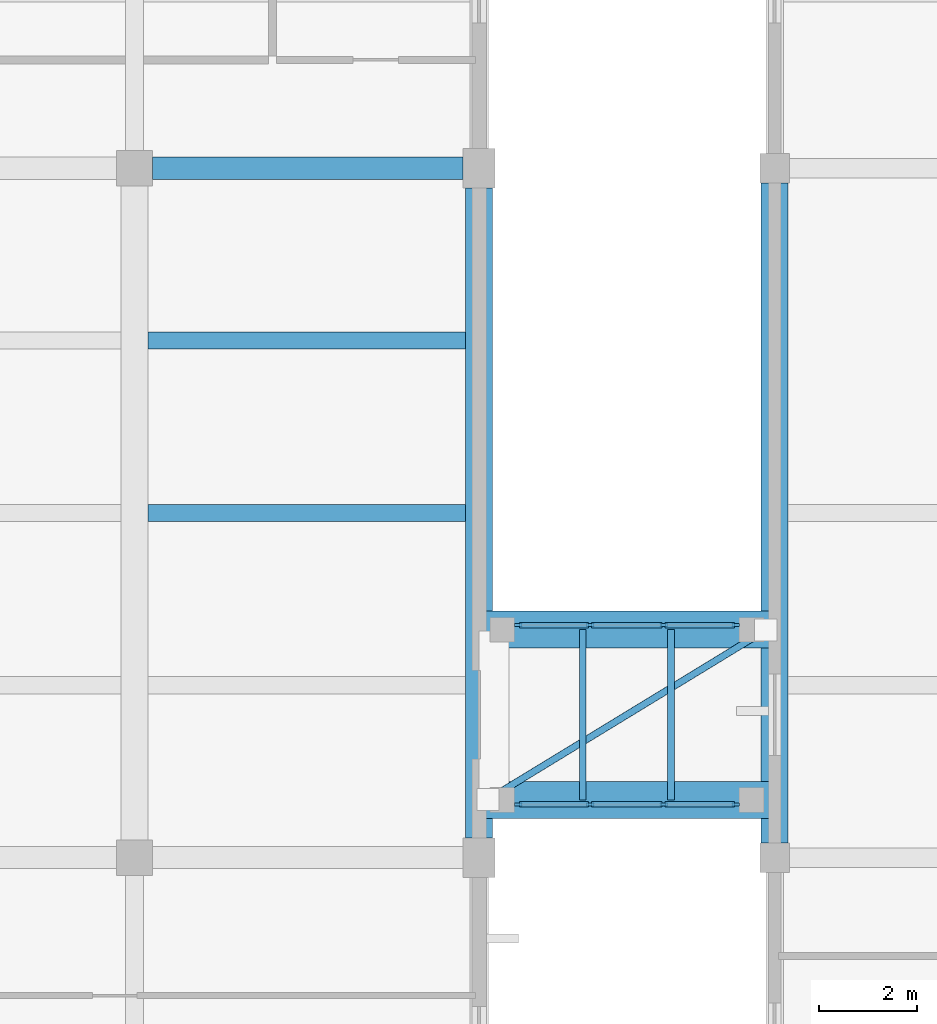
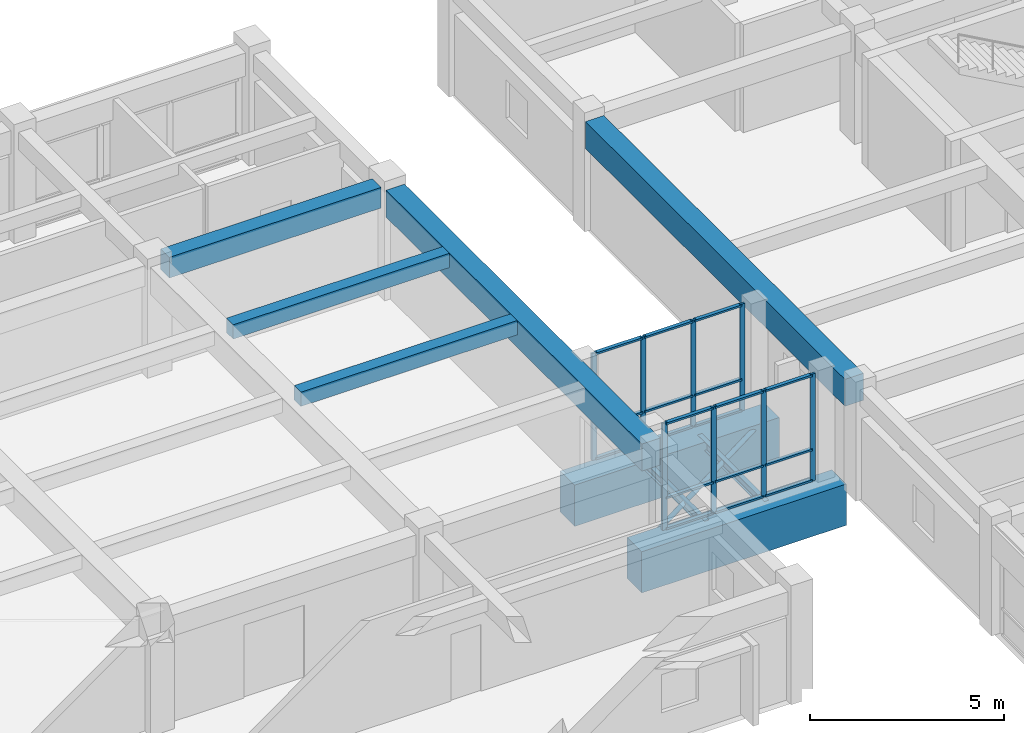
# One storey, part 13 of 42: 27 members, 9 beams, 2 elements without a shape of their own.
"""IFC4 building model written with IfcOpenShell, lengths in metres."""

import ifcopenshell
import ifcopenshell.guid

model = None  # the IFC model being written
_history = None  # IfcOwnerHistory: only IFC2X3 demands one
_inside = {}  # id of a spatial element -> (the spatial element, [elements in it])
_under = {}  # id of a project, library or spatial element -> (it, [spatial elements below it])
_declared = {}  # id of a project -> (the project, [libraries it declares])
_typed = {}  # id of a type object -> (the type object, [elements of that type])
_made_of = {}  # id of a material, layer set ... -> (it, [elements and type objects made of it])


def new_model(schema):
    """Start an empty IFC model of exactly this schema.

    Asked for "IFC4X3", IfcOpenShell would pick the latest addendum, in which some entities
    have other attributes; the version numbers below select the first issue.
    IFC2X3 requires an IfcOwnerHistory on every rooted entity: one is made here for all.
    """
    global model, _history
    if schema == "IFC4X3":
        model = ifcopenshell.file(schema_version=(4, 3, 0, 0))
    else:
        model = ifcopenshell.file(schema=schema)
    _inside.clear()
    _under.clear()
    _declared.clear()
    _typed.clear()
    _made_of.clear()
    _history = None
    if model.schema == "IFC2X3":
        org = make("IfcOrganization", Name="unknown")
        user = make(
            "IfcPersonAndOrganization",
            ThePerson=make("IfcPerson", FamilyName="unknown"),
            TheOrganization=org,
        )
        app = make(
            "IfcApplication",
            ApplicationDeveloper=org,
            Version="unknown",
            ApplicationFullName="unknown",
            ApplicationIdentifier="unknown",
        )
        _history = make(
            "IfcOwnerHistory",
            OwningUser=user,
            OwningApplication=app,
            ChangeAction="ADDED",
            CreationDate=0,
        )
    return model


def make(cls, **values):
    """One entity of the class cls with the attributes given. An attribute that is None is left unset."""
    return model.create_entity(
        cls, **{name: value for name, value in values.items() if value is not None}
    )


def rooted(cls, **values):
    """An entity with a GlobalId (a new one), such as an element, a storey or a relation."""
    return make(cls, GlobalId=ifcopenshell.guid.new(), OwnerHistory=_history, **values)


def si_unit(unit_type, name, prefix=None):
    """IfcSIUnit, for example si_unit("LENGTHUNIT", "METRE", prefix="MILLI")."""
    return make("IfcSIUnit", UnitType=unit_type, Prefix=prefix, Name=name)


def assignment(units):
    """IfcUnitAssignment: the units of a project."""
    return None if units is None else make("IfcUnitAssignment", Units=units)


def point(xyz):
    """IfcCartesianPoint."""
    return None if xyz is None else make("IfcCartesianPoint", Coordinates=xyz)


def direction(xyz):
    """IfcDirection."""
    return None if xyz is None else make("IfcDirection", DirectionRatios=xyz)


def frame(location, z_axis=None, x_axis=None):
    """IfcAxis2Placement3D, a coordinate frame: its origin and axes. An axis left out is left unset."""
    return make(
        "IfcAxis2Placement3D",
        Location=point(location),
        Axis=direction(z_axis),
        RefDirection=direction(x_axis),
    )


def frame_2d(location, x_axis=None):
    """IfcAxis2Placement2D, a coordinate frame in the plane: its origin and x axis."""
    return make(
        "IfcAxis2Placement2D", Location=point(location), RefDirection=direction(x_axis)
    )


def origin():
    """The frame at (0, 0, 0) with its axes left unset."""
    return frame((0.0, 0.0, 0.0))


def origin_2d():
    """The frame at (0, 0) in the plane with its x axis left unset."""
    return frame_2d((0.0, 0.0))


def place(relative_to, where):
    """IfcLocalPlacement: puts the frame where relative to a parent placement (None: the world)."""
    return make(
        "IfcLocalPlacement", PlacementRelTo=relative_to, RelativePlacement=where
    )


def context(
    kind, dimensions, precision=None, world=None, true_north=None, identifier=None
):
    """IfcGeometricRepresentationContext, for example the 3D "Model" context."""
    return make(
        "IfcGeometricRepresentationContext",
        ContextIdentifier=identifier,
        ContextType=kind,
        CoordinateSpaceDimension=dimensions,
        Precision=precision,
        WorldCoordinateSystem=world,
        TrueNorth=true_north,
    )


def subcontext(parent, identifier, kind, view, scale=None):
    """IfcGeometricRepresentationSubContext, for example "Body" below "Model"."""
    return make(
        "IfcGeometricRepresentationSubContext",
        ContextIdentifier=identifier,
        ContextType=kind,
        ParentContext=parent,
        TargetScale=scale,
        TargetView=view,
    )


def project(units=None, contexts=None):
    """IfcProject with its units and contexts."""
    return rooted(
        "IfcProject",
        Name="project",
        RepresentationContexts=contexts,
        UnitsInContext=assignment(units),
    )


def spatial(cls, under=None, at=None, **own):
    """A site, building, storey or space (cls), placed at a placement, below another one or the project."""
    s = rooted(cls, ObjectPlacement=at, **own)
    if under is not None:
        _under.setdefault(under.id(), (under, []))[1].append(s)
    return s


def profile(cls, at=None, kind="AREA", **sizes):
    """A parametric profile (cls). Its sizes go by their IFC names, for example OverallWidth=200.0."""
    return make(cls, ProfileType=kind, Position=at, **sizes)


def rectangle(**sizes):
    """IfcRectangleProfileDef."""
    return profile("IfcRectangleProfileDef", **sizes)


def hollow_circle(**sizes):
    """IfcCircleHollowProfileDef."""
    return profile("IfcCircleHollowProfileDef", **sizes)


def i_section(**sizes):
    """IfcIShapeProfileDef."""
    return profile("IfcIShapeProfileDef", **sizes)


def extrude(swept, where, along, depth):
    """IfcExtrudedAreaSolid: the profile swept, set in the frame where, extruded along a direction by depth."""
    return make(
        "IfcExtrudedAreaSolid",
        SweptArea=swept,
        Position=where,
        ExtrudedDirection=direction(along),
        Depth=depth,
    )


def shape(context_of_items, identifier, shape_type, items):
    """IfcShapeRepresentation: the items that make up one representation, for example the "Body"."""
    return make(
        "IfcShapeRepresentation",
        ContextOfItems=context_of_items,
        RepresentationIdentifier=identifier,
        RepresentationType=shape_type,
        Items=items,
    )


def material(Name=None, Category=None):
    """IfcMaterial."""
    return make("IfcMaterial", Name=Name, Category=Category)


def layer(
    of_material, thickness, ventilated=None, Name=None, Category=None, Priority=None
):
    """IfcMaterialLayer: one layer of a wall or slab, of a material (None: an air gap)."""
    return make(
        "IfcMaterialLayer",
        Material=of_material,
        LayerThickness=thickness,
        IsVentilated=ventilated,
        Name=Name,
        Category=Category,
        Priority=Priority,
    )


def layer_set(layers, Name=None):
    """IfcMaterialLayerSet."""
    return make("IfcMaterialLayerSet", MaterialLayers=layers, LayerSetName=Name)


def material_profile(
    of_material, cross_section, Name=None, Category=None, Priority=None
):
    """IfcMaterialProfile: a cross section and its material."""
    return make(
        "IfcMaterialProfile",
        Name=Name,
        Material=of_material,
        Profile=cross_section,
        Priority=Priority,
        Category=Category,
    )


def profile_set(profiles, Name=None, composite=None):
    """IfcMaterialProfileSet."""
    return make(
        "IfcMaterialProfileSet",
        Name=Name,
        MaterialProfiles=profiles,
        CompositeProfile=composite,
    )


def made_of(thing, what):
    """Note that an element or type object is made of a material, layer set ...; save() writes the relation."""
    if what is not None:
        _made_of.setdefault(what.id(), (what, []))[1].append(thing)
    return thing


def type_object(cls, material=None, **own):
    """A type object (cls), such as IfcWallType, which elements share."""
    return made_of(rooted(cls, **own), material)


def element(
    cls,
    number,
    at=None,
    inside=None,
    cuts=None,
    type_object=None,
    material=None,
    context=None,
    identifier="Body",
    shape_type=None,
    held_by="IfcProductDefinitionShape",
    body=None,
    shapes=None,
    **own,
):
    """One element of the class cls, such as IfcWall. Its Tag is "e" and its number.

    at: its placement. inside: the storey or other place that contains it. cuts: it is an
    opening in that element (IfcRelVoidsElement). A single representation is given by context,
    identifier, shape_type and body (its items); several are given by shapes. held_by: the class
    of the entity that holds the representations. save() writes the other relations.
    """
    e = rooted(cls, Tag="e%d" % number, ObjectPlacement=at, **own)
    if body is not None:
        shapes = [shape(context, identifier, shape_type, body)]
    if shapes is not None:
        e.Representation = make(held_by, Representations=shapes)
    if inside is not None:
        _inside.setdefault(inside.id(), (inside, []))[1].append(e)
    if cuts is not None:
        rooted(
            "IfcRelVoidsElement", RelatingBuildingElement=cuts, RelatedOpeningElement=e
        )
    if type_object is not None:
        _typed.setdefault(type_object.id(), (type_object, []))[1].append(e)
    return made_of(e, material)


def aggregate(whole, parts):
    """IfcRelAggregates: a whole, such as a stair, and the parts it consists of."""
    return rooted("IfcRelAggregates", RelatingObject=whole, RelatedObjects=parts)


def save(model, path):
    """Write the relations noted so far, then the file.

    IfcRelAggregates (storeys below a building ...), IfcRelContainedInSpatialStructure (elements
    in a storey), IfcRelDefinesByType, IfcRelAssociatesMaterial and IfcRelDeclares: one each for
    every whole, place, type object, material and project.
    """
    for whole, parts in _under.values():
        aggregate(whole, parts)
    for where, things in _inside.values():
        rooted(
            "IfcRelContainedInSpatialStructure",
            RelatedElements=things,
            RelatingStructure=where,
        )
    for kind, things in _typed.values():
        rooted("IfcRelDefinesByType", RelatedObjects=things, RelatingType=kind)
    for what, things in _made_of.values():
        rooted("IfcRelAssociatesMaterial", RelatedObjects=things, RelatingMaterial=what)
    for by, libraries in _declared.values():
        rooted("IfcRelDeclares", RelatingContext=by, RelatedDefinitions=libraries)
    model.write(path)


model = new_model("IFC4")

# Units and contexts
model_context = context("Model", 3, precision=1e-05, world=origin(), true_north=direction((0.0, 1.0)))
body_context = subcontext(model_context, "Body", "Model", "MODEL_VIEW")
ifc_project = project(units=[si_unit("LENGTHUNIT", "METRE"), si_unit("AREAUNIT", "SQUARE_METRE"), si_unit("VOLUMEUNIT", "CUBIC_METRE"), si_unit("PLANEANGLEUNIT", "RADIAN"), si_unit("MASSUNIT", "GRAM", prefix="KILO")], contexts=[model_context])

# Site, building, storey
site_placement = place(None, origin())
site = spatial("IfcSite", under=ifc_project, at=site_placement, CompositionType="ELEMENT")
building_placement = place(site_placement, origin())
building = spatial("IfcBuilding", under=site, at=building_placement, Name="Naurynzar Civic Courthouse", CompositionType="ELEMENT")
storey_placement = place(building_placement, frame((0.0, 0.0, 18.300048828125)))
storey = spatial("IfcBuildingStorey", under=building, at=storey_placement, Name="L05", CompositionType="ELEMENT", Elevation=18.300048828125)

# Beams
ifc_material_1 = material(Name="Concrete C40/50", Category="concrete")
ifc_material_profile_1 = material_profile(ifc_material_1, rectangle(XDim=0.550048828125, YDim=0.85009765625, at=origin_2d()), Name="PTB 550x850")
ifc_profile_set_1 = profile_set([ifc_material_profile_1], Name="Concrete C40/50")
beam_type_1 = type_object("IfcBeamType", Name="BM-PT-550x850", PredefinedType="T_BEAM", material=ifc_profile_set_1)
beam_1_placement = place(storey_placement, frame((124.0, 51.39990234375, 3.044921875), z_axis=(0.0, 1.0, 0.0), x_axis=(-1.0, 0.0, 0.0)))
element("IfcBeam", 1, at=beam_1_placement, inside=storey, type_object=beam_type_1, Name="V2 girder Y-799 L05", PredefinedType="T_BEAM", context=body_context, shape_type="SweptSolid", body=[
    extrude(rectangle(XDim=0.550048828125, YDim=0.85009765625, at=origin_2d()), origin(), (0.0, 0.0, 1.0), 13.2001953125),
])
beam_2_placement = place(storey_placement, frame((130.0, 51.300048828125, 3.044921875), z_axis=(0.0, 1.0, 0.0), x_axis=(-1.0, 0.0, 0.0)))
element("IfcBeam", 2, at=beam_2_placement, inside=storey, type_object=beam_type_1, Name="V5 girder Y-2669 L05", PredefinedType="T_BEAM", context=body_context, shape_type="SweptSolid", body=[
    extrude(rectangle(XDim=0.550048828125, YDim=0.85009765625, at=origin_2d()), origin(), (0.0, 0.0, 1.0), 13.39990234375),
])
ifc_material_2 = material(Name="Concrete C40/50", Category="concrete")
ifc_material_profile_2 = material_profile(ifc_material_2, rectangle(XDim=0.35009765625, YDim=0.449951171875, at=origin_2d()), Name="RCB 350x450")
ifc_profile_set_2 = profile_set([ifc_material_profile_2], Name="Concrete C40/50")
beam_type_2 = type_object("IfcBeamType", Name="BM-RC-350x450", PredefinedType="BEAM", material=ifc_profile_set_2)
for number, where, z_axis, x_axis, name in (
    (3, (117.27490234375, 58.0, 3.244873046875), (1.0, 0.0, 0.0), (0.0, 1.0, 0.0), "V2 secondary rib 827 L05"),
    (4, (117.27490234375, 61.5, 3.244873046875), (1.0, 0.0, 0.0), (0.0, 1.0, 0.0), "V2 secondary rib 828 L05"),
):
    element("IfcBeam", number, at=place(storey_placement, frame(where, z_axis=z_axis, x_axis=x_axis)), inside=storey, type_object=beam_type_2, Name=name, PredefinedType="BEAM", context=body_context, shape_type="SweptSolid", body=[
        extrude(rectangle(XDim=0.35009765625, YDim=0.449951171875, at=origin_2d()), origin(), (0.0, 0.0, 1.0), 6.4501953125),
    ])
ifc_material_3 = material(Name="Concrete C40/50", Category="concrete")
ifc_material_profile_3 = material_profile(ifc_material_3, rectangle(XDim=0.449951171875, YDim=0.64990234375, at=origin_2d()), Name="RCB 450x650")
ifc_profile_set_3 = profile_set([ifc_material_profile_3], Name="Concrete C40/50")
beam_type_3 = type_object("IfcBeamType", Name="BM-RC-450x650", PredefinedType="BEAM", material=ifc_profile_set_3)
beam_3_placement = place(storey_placement, frame((117.362548828125, 65.0, 3.14501953125), z_axis=(1.0, 0.0, 0.0), x_axis=(0.0, 1.0, 0.0)))
element("IfcBeam", 5, at=beam_3_placement, inside=storey, type_object=beam_type_3, Name="V2 beam X-765 L05", PredefinedType="BEAM", context=body_context, shape_type="SweptSolid", body=[
    extrude(rectangle(XDim=0.449951171875, YDim=0.64990234375, at=origin_2d()), origin(), (0.0, 0.0, 1.0), 6.3125),
])
ifc_material_4 = material(Name="Steel S355", Category="steel")
ifc_material_profile_4 = material_profile(ifc_material_4, i_section(OverallWidth=0.135009765625, OverallDepth=0.27001953125, WebThickness=0.006591796875, FlangeThickness=0.01025390625, FilletRadius=0.014892578125, at=origin_2d()), Name="IPE 270")
ifc_profile_set_4 = profile_set([ifc_material_profile_4], Name="Steel S355")
beam_type_4 = type_object("IfcBeamType", Name="BM-STL-IPE270", PredefinedType="BEAM", material=ifc_profile_set_4)
for number, where, z_axis, x_axis, name in (
    (6, (126.10595703125, 52.169921875, -0.375), (0.0, 1.0, 0.0), (-1.0, 0.0, 0.0), "BR-E1 deck cross-beam L05.1"),
    (7, (127.89404296875, 52.169921875, -0.375), (0.0, 1.0, 0.0), (-1.0, 0.0, 0.0), "BR-E1 deck cross-beam L05.2"),
):
    element("IfcBeam", number, at=place(storey_placement, frame(where, z_axis=z_axis, x_axis=x_axis)), inside=storey, type_object=beam_type_4, Name=name, PredefinedType="BEAM", context=body_context, shape_type="SweptSolid", body=[
        extrude(i_section(OverallWidth=0.135009765625, OverallDepth=0.27001953125, WebThickness=0.006591796875, FlangeThickness=0.01025390625, FilletRadius=0.014892578125, at=origin_2d()), origin(), (0.0, 0.0, 1.0), 3.4599609375),
    ])
ifc_material_5 = material(Name="Concrete C40/50", Category="concrete")
ifc_material_profile_5 = material_profile(ifc_material_5, rectangle(XDim=0.75, YDim=1.300048828125, at=origin_2d()), Name="RCT 750x1300")
ifc_profile_set_5 = profile_set([ifc_material_profile_5], Name="Concrete C40/50")
beam_type_5 = type_object("IfcBeamType", Name="BM-TR-750x1300", PredefinedType="SPANDREL", material=ifc_profile_set_5)
for number, where, z_axis, x_axis, name in (
    (8, (123.949951171875, 52.169921875, -0.89013671875), (1.0, 0.0, 0.0), (0.0, 1.0, 0.0), "Transfer Girder TG-01"),
    (9, (123.949951171875, 55.6298828125, -0.89013671875), (1.0, 0.0, 0.0), (0.0, 1.0, 0.0), "Transfer Girder TG-01"),
):
    element("IfcBeam", number, at=place(storey_placement, frame(where, z_axis=z_axis, x_axis=x_axis)), inside=storey, type_object=beam_type_5, Name=name, PredefinedType="SPANDREL", context=body_context, shape_type="SweptSolid", body=[
        extrude(rectangle(XDim=0.75, YDim=1.300048828125, at=origin_2d()), origin(), (0.0, 0.0, 1.0), 6.10009765625),
    ])

# Curtain wall, members
ifc_material_6 = material(Name="Aluminium 6063-T6", Category="aluminium")
ifc_layer = layer(ifc_material_6, 0.14990234375)
ifc_layer_set = layer_set([ifc_layer], Name="CW-BRIDGE-1500")
curtain_wall_type = type_object("IfcCurtainWallType", Name="CW-BRIDGE-1500", PredefinedType="USERDEFINED", material=ifc_layer_set)
curtain_wall_1_placement = place(storey_placement, origin())
curtain_wall_1 = element("IfcCurtainWall", 10, at=curtain_wall_1_placement, inside=storey, type_object=curtain_wall_type, Name="BR-E1 glazed bridge screen L05.1", ObjectType="GLAZED BRIDGE SCREEN", PredefinedType="USERDEFINED")
ifc_material_7 = material(Name="Aluminium 6063-T6", Category="aluminium")
ifc_material_profile_6 = material_profile(ifc_material_7, rectangle(XDim=0.06005859375, YDim=0.14990234375, at=origin_2d()), Name="ALU MULLION 60x150")
ifc_profile_set_6 = profile_set([ifc_material_profile_6], Name="Aluminium 6063-T6")
member_type_1 = type_object("IfcMemberType", Name="CWM-60x150", PredefinedType="MULLION", material=ifc_profile_set_6)
member_1_placement = place(storey_placement, frame((124.7900390625, 52.080078125, 0.0), z_axis=(0.0, 0.0, 1.0), x_axis=(0.0, 1.0, 0.0)))
member_1 = element("IfcMember", 11, at=member_1_placement, type_object=member_type_1, Name="CW-03 mullion 1", PredefinedType="MULLION", context=body_context, shape_type="SweptSolid", body=[
    extrude(rectangle(XDim=0.06005859375, YDim=0.14990234375, at=origin_2d()), origin(), (0.0, 0.0, 1.0), 3.369873046875),
])
member_2_placement = place(storey_placement, frame((126.25341796875, 52.080078125, 0.0), z_axis=(0.0, 0.0, 1.0), x_axis=(0.0, 1.0, 0.0)))
member_2 = element("IfcMember", 12, at=member_2_placement, type_object=member_type_1, Name="CW-03 mullion 2", PredefinedType="MULLION", context=body_context, shape_type="SweptSolid", body=[
    extrude(rectangle(XDim=0.06005859375, YDim=0.14990234375, at=origin_2d()), origin(), (0.0, 0.0, 1.0), 3.369873046875),
])
member_3_placement = place(storey_placement, frame((127.74658203125, 52.080078125, 0.0), z_axis=(0.0, 0.0, 1.0), x_axis=(0.0, 1.0, 0.0)))
member_3 = element("IfcMember", 13, at=member_3_placement, type_object=member_type_1, Name="CW-03 mullion 3", PredefinedType="MULLION", context=body_context, shape_type="SweptSolid", body=[
    extrude(rectangle(XDim=0.06005859375, YDim=0.14990234375, at=origin_2d()), origin(), (0.0, 0.0, 1.0), 3.369873046875),
])
member_4_placement = place(storey_placement, frame((129.2099609375, 52.080078125, 0.0), z_axis=(0.0, 0.0, 1.0), x_axis=(0.0, 1.0, 0.0)))
member_4 = element("IfcMember", 14, at=member_4_placement, type_object=member_type_1, Name="CW-03 mullion 4", PredefinedType="MULLION", context=body_context, shape_type="SweptSolid", body=[
    extrude(rectangle(XDim=0.06005859375, YDim=0.14990234375, at=origin_2d()), origin(), (0.0, 0.0, 1.0), 3.369873046875),
])

curtain_wall_2_placement = place(storey_placement, origin())
curtain_wall_2 = element("IfcCurtainWall", 15, at=curtain_wall_2_placement, inside=storey, type_object=curtain_wall_type, Name="BR-E1 glazed bridge screen L05.2", ObjectType="GLAZED BRIDGE SCREEN", PredefinedType="USERDEFINED")
member_5_placement = place(storey_placement, frame((129.2099609375, 55.719970703125, 0.0), z_axis=(0.0, 0.0, 1.0), x_axis=(0.0, -1.0, 0.0)))
member_5 = element("IfcMember", 16, at=member_5_placement, type_object=member_type_1, Name="CW-03 mullion 1", PredefinedType="MULLION", context=body_context, shape_type="SweptSolid", body=[
    extrude(rectangle(XDim=0.06005859375, YDim=0.14990234375, at=origin_2d()), origin(), (0.0, 0.0, 1.0), 3.369873046875),
])
member_6_placement = place(storey_placement, frame((127.74658203125, 55.719970703125, 0.0), z_axis=(0.0, 0.0, 1.0), x_axis=(0.0, -1.0, 0.0)))
member_6 = element("IfcMember", 17, at=member_6_placement, type_object=member_type_1, Name="CW-03 mullion 2", PredefinedType="MULLION", context=body_context, shape_type="SweptSolid", body=[
    extrude(rectangle(XDim=0.06005859375, YDim=0.14990234375, at=origin_2d()), origin(), (0.0, 0.0, 1.0), 3.369873046875),
])
member_7_placement = place(storey_placement, frame((126.25341796875, 55.719970703125, 0.0), z_axis=(0.0, 0.0, 1.0), x_axis=(0.0, -1.0, 0.0)))
member_7 = element("IfcMember", 18, at=member_7_placement, type_object=member_type_1, Name="CW-03 mullion 3", PredefinedType="MULLION", context=body_context, shape_type="SweptSolid", body=[
    extrude(rectangle(XDim=0.06005859375, YDim=0.14990234375, at=origin_2d()), origin(), (0.0, 0.0, 1.0), 3.369873046875),
])
member_8_placement = place(storey_placement, frame((124.7900390625, 55.719970703125, 0.0), z_axis=(0.0, 0.0, 1.0), x_axis=(0.0, -1.0, 0.0)))
member_8 = element("IfcMember", 19, at=member_8_placement, type_object=member_type_1, Name="CW-03 mullion 4", PredefinedType="MULLION", context=body_context, shape_type="SweptSolid", body=[
    extrude(rectangle(XDim=0.06005859375, YDim=0.14990234375, at=origin_2d()), origin(), (0.0, 0.0, 1.0), 3.369873046875),
])

# Member
ifc_material_8 = material(Name="Aluminium 6063-T6", Category="aluminium")
ifc_material_profile_7 = material_profile(ifc_material_8, rectangle(XDim=0.110107421875, YDim=0.06005859375, at=origin_2d()), Name="ALU TRANSOM 60x110")
ifc_profile_set_7 = profile_set([ifc_material_profile_7], Name="Aluminium 6063-T6")
member_type_2 = type_object("IfcMemberType", Name="CWT-60x110", PredefinedType="USERDEFINED", material=ifc_profile_set_7)
member_9_placement = place(storey_placement, frame((124.820068359375, 52.080078125, 0.030029296875), z_axis=(1.0, 0.0, 0.0), x_axis=(0.0, 1.0, 0.0)))
member_9 = element("IfcMember", 20, at=member_9_placement, type_object=member_type_2, Name="CW-03 transom 1.1", ObjectType="TRANSOM", PredefinedType="USERDEFINED", context=body_context, shape_type="SweptSolid", body=[
    extrude(rectangle(XDim=0.110107421875, YDim=0.06005859375, at=origin_2d()), origin(), (0.0, 0.0, 1.0), 1.4033203125),
])

member_10_placement = place(storey_placement, frame((124.820068359375, 52.080078125, 1.0), z_axis=(1.0, 0.0, 0.0), x_axis=(0.0, 1.0, 0.0)))
member_10 = element("IfcMember", 21, at=member_10_placement, type_object=member_type_2, Name="CW-03 transom 1.2", ObjectType="TRANSOM", PredefinedType="USERDEFINED", context=body_context, shape_type="SweptSolid", body=[
    extrude(rectangle(XDim=0.110107421875, YDim=0.06005859375, at=origin_2d()), origin(), (0.0, 0.0, 1.0), 1.4033203125),
])

member_11_placement = place(storey_placement, frame((124.820068359375, 52.080078125, 3.33984375), z_axis=(1.0, 0.0, 0.0), x_axis=(0.0, 1.0, 0.0)))
member_11 = element("IfcMember", 22, at=member_11_placement, type_object=member_type_2, Name="CW-03 transom 1.3", ObjectType="TRANSOM", PredefinedType="USERDEFINED", context=body_context, shape_type="SweptSolid", body=[
    extrude(rectangle(XDim=0.110107421875, YDim=0.06005859375, at=origin_2d()), origin(), (0.0, 0.0, 1.0), 1.4033203125),
])

member_12_placement = place(storey_placement, frame((126.283447265625, 52.080078125, 0.030029296875), z_axis=(1.0, 0.0, 0.0), x_axis=(0.0, 1.0, 0.0)))
member_12 = element("IfcMember", 23, at=member_12_placement, type_object=member_type_2, Name="CW-03 transom 2.1", ObjectType="TRANSOM", PredefinedType="USERDEFINED", context=body_context, shape_type="SweptSolid", body=[
    extrude(rectangle(XDim=0.110107421875, YDim=0.06005859375, at=origin_2d()), origin(), (0.0, 0.0, 1.0), 1.43310546875),
])

member_13_placement = place(storey_placement, frame((126.283447265625, 52.080078125, 1.0), z_axis=(1.0, 0.0, 0.0), x_axis=(0.0, 1.0, 0.0)))
member_13 = element("IfcMember", 24, at=member_13_placement, type_object=member_type_2, Name="CW-03 transom 2.2", ObjectType="TRANSOM", PredefinedType="USERDEFINED", context=body_context, shape_type="SweptSolid", body=[
    extrude(rectangle(XDim=0.110107421875, YDim=0.06005859375, at=origin_2d()), origin(), (0.0, 0.0, 1.0), 1.43310546875),
])

member_14_placement = place(storey_placement, frame((126.283447265625, 52.080078125, 3.33984375), z_axis=(1.0, 0.0, 0.0), x_axis=(0.0, 1.0, 0.0)))
member_14 = element("IfcMember", 25, at=member_14_placement, type_object=member_type_2, Name="CW-03 transom 2.3", ObjectType="TRANSOM", PredefinedType="USERDEFINED", context=body_context, shape_type="SweptSolid", body=[
    extrude(rectangle(XDim=0.110107421875, YDim=0.06005859375, at=origin_2d()), origin(), (0.0, 0.0, 1.0), 1.43310546875),
])

member_15_placement = place(storey_placement, frame((127.776611328125, 52.080078125, 0.030029296875), z_axis=(1.0, 0.0, 0.0), x_axis=(0.0, 1.0, 0.0)))
member_15 = element("IfcMember", 26, at=member_15_placement, type_object=member_type_2, Name="CW-03 transom 3.1", ObjectType="TRANSOM", PredefinedType="USERDEFINED", context=body_context, shape_type="SweptSolid", body=[
    extrude(rectangle(XDim=0.110107421875, YDim=0.06005859375, at=origin_2d()), origin(), (0.0, 0.0, 1.0), 1.4033203125),
])

member_16_placement = place(storey_placement, frame((127.776611328125, 52.080078125, 1.0), z_axis=(1.0, 0.0, 0.0), x_axis=(0.0, 1.0, 0.0)))
member_16 = element("IfcMember", 27, at=member_16_placement, type_object=member_type_2, Name="CW-03 transom 3.2", ObjectType="TRANSOM", PredefinedType="USERDEFINED", context=body_context, shape_type="SweptSolid", body=[
    extrude(rectangle(XDim=0.110107421875, YDim=0.06005859375, at=origin_2d()), origin(), (0.0, 0.0, 1.0), 1.4033203125),
])

member_17_placement = place(storey_placement, frame((127.776611328125, 52.080078125, 3.33984375), z_axis=(1.0, 0.0, 0.0), x_axis=(0.0, 1.0, 0.0)))
member_17 = element("IfcMember", 28, at=member_17_placement, type_object=member_type_2, Name="CW-03 transom 3.3", ObjectType="TRANSOM", PredefinedType="USERDEFINED", context=body_context, shape_type="SweptSolid", body=[
    extrude(rectangle(XDim=0.110107421875, YDim=0.06005859375, at=origin_2d()), origin(), (0.0, 0.0, 1.0), 1.4033203125),
])

aggregate(curtain_wall_1, [member_1, member_2, member_3, member_4, member_9, member_10, member_11, member_12, member_13, member_14, member_15, member_16, member_17])

member_18_placement = place(storey_placement, frame((129.179931640625, 55.719970703125, 0.030029296875), z_axis=(-1.0, 0.0, 0.0), x_axis=(0.0, -1.0, 0.0)))
member_18 = element("IfcMember", 29, at=member_18_placement, type_object=member_type_2, Name="CW-03 transom 1.1", ObjectType="TRANSOM", PredefinedType="USERDEFINED", context=body_context, shape_type="SweptSolid", body=[
    extrude(rectangle(XDim=0.110107421875, YDim=0.06005859375, at=origin_2d()), origin(), (0.0, 0.0, 1.0), 1.4033203125),
])

member_19_placement = place(storey_placement, frame((129.179931640625, 55.719970703125, 1.0), z_axis=(-1.0, 0.0, 0.0), x_axis=(0.0, -1.0, 0.0)))
member_19 = element("IfcMember", 30, at=member_19_placement, type_object=member_type_2, Name="CW-03 transom 1.2", ObjectType="TRANSOM", PredefinedType="USERDEFINED", context=body_context, shape_type="SweptSolid", body=[
    extrude(rectangle(XDim=0.110107421875, YDim=0.06005859375, at=origin_2d()), origin(), (0.0, 0.0, 1.0), 1.4033203125),
])

member_20_placement = place(storey_placement, frame((129.179931640625, 55.719970703125, 3.33984375), z_axis=(-1.0, 0.0, 0.0), x_axis=(0.0, -1.0, 0.0)))
member_20 = element("IfcMember", 31, at=member_20_placement, type_object=member_type_2, Name="CW-03 transom 1.3", ObjectType="TRANSOM", PredefinedType="USERDEFINED", context=body_context, shape_type="SweptSolid", body=[
    extrude(rectangle(XDim=0.110107421875, YDim=0.06005859375, at=origin_2d()), origin(), (0.0, 0.0, 1.0), 1.4033203125),
])

member_21_placement = place(storey_placement, frame((127.716552734375, 55.719970703125, 0.030029296875), z_axis=(-1.0, 0.0, 0.0), x_axis=(0.0, -1.0, 0.0)))
member_21 = element("IfcMember", 32, at=member_21_placement, type_object=member_type_2, Name="CW-03 transom 2.1", ObjectType="TRANSOM", PredefinedType="USERDEFINED", context=body_context, shape_type="SweptSolid", body=[
    extrude(rectangle(XDim=0.110107421875, YDim=0.06005859375, at=origin_2d()), origin(), (0.0, 0.0, 1.0), 1.43310546875),
])

member_22_placement = place(storey_placement, frame((127.716552734375, 55.719970703125, 1.0), z_axis=(-1.0, 0.0, 0.0), x_axis=(0.0, -1.0, 0.0)))
member_22 = element("IfcMember", 33, at=member_22_placement, type_object=member_type_2, Name="CW-03 transom 2.2", ObjectType="TRANSOM", PredefinedType="USERDEFINED", context=body_context, shape_type="SweptSolid", body=[
    extrude(rectangle(XDim=0.110107421875, YDim=0.06005859375, at=origin_2d()), origin(), (0.0, 0.0, 1.0), 1.43310546875),
])

member_23_placement = place(storey_placement, frame((127.716552734375, 55.719970703125, 3.33984375), z_axis=(-1.0, 0.0, 0.0), x_axis=(0.0, -1.0, 0.0)))
member_23 = element("IfcMember", 34, at=member_23_placement, type_object=member_type_2, Name="CW-03 transom 2.3", ObjectType="TRANSOM", PredefinedType="USERDEFINED", context=body_context, shape_type="SweptSolid", body=[
    extrude(rectangle(XDim=0.110107421875, YDim=0.06005859375, at=origin_2d()), origin(), (0.0, 0.0, 1.0), 1.43310546875),
])

member_24_placement = place(storey_placement, frame((126.223388671875, 55.719970703125, 0.030029296875), z_axis=(-1.0, 0.0, 0.0), x_axis=(0.0, -1.0, 0.0)))
member_24 = element("IfcMember", 35, at=member_24_placement, type_object=member_type_2, Name="CW-03 transom 3.1", ObjectType="TRANSOM", PredefinedType="USERDEFINED", context=body_context, shape_type="SweptSolid", body=[
    extrude(rectangle(XDim=0.110107421875, YDim=0.06005859375, at=origin_2d()), origin(), (0.0, 0.0, 1.0), 1.4033203125),
])

member_25_placement = place(storey_placement, frame((126.223388671875, 55.719970703125, 1.0), z_axis=(-1.0, 0.0, 0.0), x_axis=(0.0, -1.0, 0.0)))
member_25 = element("IfcMember", 36, at=member_25_placement, type_object=member_type_2, Name="CW-03 transom 3.2", ObjectType="TRANSOM", PredefinedType="USERDEFINED", context=body_context, shape_type="SweptSolid", body=[
    extrude(rectangle(XDim=0.110107421875, YDim=0.06005859375, at=origin_2d()), origin(), (0.0, 0.0, 1.0), 1.4033203125),
])

member_26_placement = place(storey_placement, frame((126.223388671875, 55.719970703125, 3.33984375), z_axis=(-1.0, 0.0, 0.0), x_axis=(0.0, -1.0, 0.0)))
member_26 = element("IfcMember", 37, at=member_26_placement, type_object=member_type_2, Name="CW-03 transom 3.3", ObjectType="TRANSOM", PredefinedType="USERDEFINED", context=body_context, shape_type="SweptSolid", body=[
    extrude(rectangle(XDim=0.110107421875, YDim=0.06005859375, at=origin_2d()), origin(), (0.0, 0.0, 1.0), 1.4033203125),
])

aggregate(curtain_wall_2, [member_5, member_6, member_7, member_8, member_18, member_19, member_20, member_21, member_22, member_23, member_24, member_25, member_26])

ifc_material_9 = material(Name="Steel S355", Category="steel")
ifc_material_profile_8 = material_profile(ifc_material_9, hollow_circle(Radius=0.06982421875, WallThickness=0.008056640625, at=origin_2d()), Name="CHS 139.7x8")
ifc_profile_set_8 = profile_set([ifc_material_profile_8], Name="Steel S355")
member_type_3 = type_object("IfcMemberType", Name="MEM-BRACE-CHS139", PredefinedType="BRACE", material=ifc_profile_set_8)
member_27_placement = place(storey_placement, frame((124.179931640625, 52.179931640625, -0.405029296875), z_axis=(0.853723652651, 0.520726343585, 0.0), x_axis=(-0.520726343585, 0.853723652651, 0.0)))
element("IfcMember", 38, at=member_27_placement, inside=storey, type_object=member_type_3, Name="BR-E1 wind brace L05.1", PredefinedType="BRACE", context=body_context, shape_type="SweptSolid", body=[
    extrude(hollow_circle(Radius=0.06982421875, WallThickness=0.008056640625, at=origin_2d()), origin(), (0.0, 0.0, 1.0), 6.6064453125),
])

save(model, "model.ifc")
